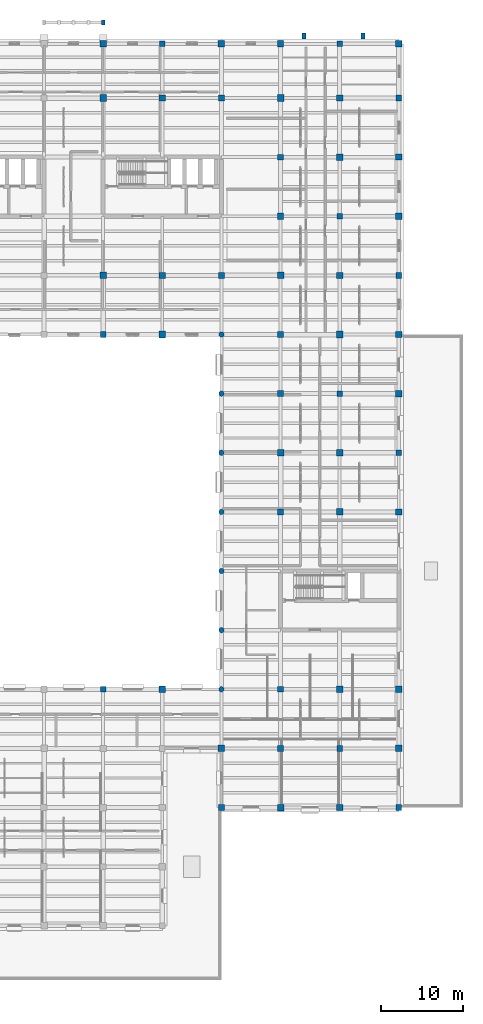
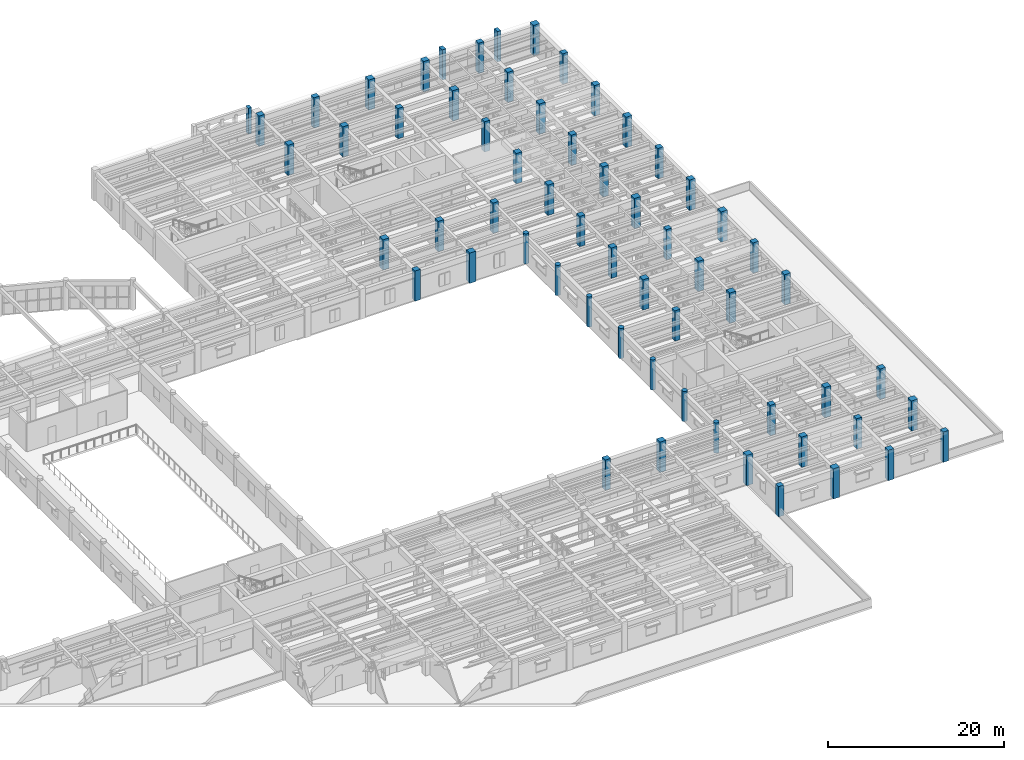
# One storey, part 2 of 76: 61 columns.
"""IFC4 building model written with IfcOpenShell, lengths in metres."""

from ifc_helpers import new_model, si_unit, direction, frame, origin, origin_2d, place, context, subcontext, project, spatial, rectangle, circle, extrude, material, material_profile, profile_set, type_object, element, save


model = new_model("IFC4")

# Units and contexts
model_context = context("Model", 3, precision=1e-05, world=origin(), true_north=direction((0.0, 1.0)))
body_context = subcontext(model_context, "Body", "Model", "MODEL_VIEW")
ifc_project = project(units=[si_unit("LENGTHUNIT", "METRE"), si_unit("AREAUNIT", "SQUARE_METRE"), si_unit("VOLUMEUNIT", "CUBIC_METRE"), si_unit("PLANEANGLEUNIT", "RADIAN"), si_unit("MASSUNIT", "GRAM", prefix="KILO")], contexts=[model_context])

# Site, building, storey
site_placement = place(None, origin())
site = spatial("IfcSite", under=ifc_project, at=site_placement, CompositionType="ELEMENT")
building_placement = place(site_placement, origin())
building = spatial("IfcBuilding", under=site, at=building_placement, Name="Mithqara Police Headquarters", CompositionType="ELEMENT")
storey_placement = place(building_placement, frame((0.0, 0.0, 5.39990234375)))
storey = spatial("IfcBuildingStorey", under=building, at=storey_placement, Name="L01", CompositionType="ELEMENT", Elevation=5.39990234375)

# Columns
ifc_material = material(Name="Concrete C50/60", Category="concrete")
ifc_material_profile_1 = material_profile(ifc_material, rectangle(XDim=0.699951171875, YDim=0.699951171875, at=origin_2d()), Name="RC 700x700")
ifc_profile_set_1 = profile_set([ifc_material_profile_1], Name="Concrete C50/60")
column_type_1 = type_object("IfcColumnType", Name="COLUMN RC700", PredefinedType="COLUMN", material=ifc_profile_set_1)
for number, where, z_axis, x_axis, name in (
    (1, (130.199951171875, 35.39990234375, 0.0), (0.0, 0.0, 1.0), (1.0, 0.0, 0.0), "L01 Column 19/F"),
    (2, (130.199951171875, 78.60009765625, 0.0), (0.0, 0.0, 1.0), (1.0, 0.0, 0.0), "L01 Column 19/M"),
    (3, (137.39990234375, 114.0, 0.0), (0.0, 0.0, 1.0), (1.0, 0.0, 0.0), "L01 Column 20/S"),
    (4, (144.60009765625, 21.0, 0.0), (0.0, 0.0, 1.0), (1.0, 0.0, 0.0), "L01 Column 21/D"),
    (5, (144.60009765625, 85.800048828125, 0.0), (0.0, 0.0, 1.0), (1.0, 0.0, 0.0), "L01 Column 21/N"),
    (6, (144.60009765625, 107.39990234375, 0.0), (0.0, 0.0, 1.0), (1.0, 0.0, 0.0), "L01 Column 21/R"),
    (7, (151.800048828125, 35.39990234375, 0.0), (0.0, 0.0, 1.0), (1.0, 0.0, 0.0), "L01 Column 22/F"),
    (8, (151.800048828125, 57.0, 0.0), (0.0, 0.0, 1.0), (1.0, 0.0, 0.0), "L01 Column 22/J"),
    (9, (151.800048828125, 78.60009765625, 0.0), (0.0, 0.0, 1.0), (1.0, 0.0, 0.0), "L01 Column 22/M"),
    (10, (151.800048828125, 100.199951171875, 0.0), (0.0, 0.0, 1.0), (1.0, 0.0, 0.0), "L01 Column 22/Q"),
    (11, (159.0, 28.199951171875, 0.0), (0.0, 0.0, 1.0), (1.0, 0.0, 0.0), "L01 Column 23/E"),
    (12, (159.0, 71.39990234375, 0.0), (0.0, 0.0, 1.0), (1.0, 0.0, 0.0), "L01 Column 23/L"),
    (13, (159.0, 93.0, 0.0), (0.0, 0.0, 1.0), (1.0, 0.0, 0.0), "L01 Column 23/P"),
    (14, (159.0, 114.0, 0.0), (0.0, 0.0, 1.0), (1.0, 0.0, 0.0), "L01 Column 23/S"),
    (15, (166.199951171875, 21.0, 0.0), (0.0, 0.0, 1.0), (1.0, 0.0, 0.0), "L01 Column 24/D"),
    (16, (166.199951171875, 64.199951171875, 0.0), (0.0, 0.0, 1.0), (1.0, 0.0, 0.0), "L01 Column 24/K"),
    (17, (166.199951171875, 85.800048828125, 0.0), (0.0, 0.0, 1.0), (1.0, 0.0, 0.0), "L01 Column 24/N"),
    (18, (166.199951171875, 107.39990234375, 0.0), (0.0, 0.0, 1.0), (1.0, 0.0, 0.0), "L01 Column 24/R"),
):
    element("IfcColumn", number, at=place(storey_placement, frame(where, z_axis=z_axis, x_axis=x_axis)), inside=storey, type_object=column_type_1, Name=name, PredefinedType="COLUMN", context=body_context, shape_type="SweptSolid", body=[
        extrude(rectangle(XDim=0.699951171875, YDim=0.699951171875, at=origin_2d()), origin(), (0.0, 0.0, 1.0), 4.2001953125),
    ])
ifc_material_profile_2 = material_profile(ifc_material, rectangle(XDim=0.75, YDim=0.75, at=origin_2d()), Name="RC 750x750")
ifc_profile_set_2 = profile_set([ifc_material_profile_2], Name="Concrete C50/60")
column_type_2 = type_object("IfcColumnType", Name="COLUMN RC750", PredefinedType="COLUMN", material=ifc_profile_set_2)
for number, where, z_axis, x_axis, name in (
    (19, (130.199951171875, 114.0, 0.0), (0.0, 0.0, 1.0), (1.0, 0.0, 0.0), "L01 Column 19/S"),
    (20, (137.39990234375, 85.800048828125, 0.0), (0.0, 0.0, 1.0), (1.0, 0.0, 0.0), "L01 Column 20/N"),
    (21, (137.39990234375, 107.39990234375, 0.0), (0.0, 0.0, 1.0), (1.0, 0.0, 0.0), "L01 Column 20/R"),
    (22, (151.800048828125, 28.199951171875, 0.0), (0.0, 0.0, 1.0), (1.0, 0.0, 0.0), "L01 Column 22/E"),
    (23, (151.800048828125, 71.39990234375, 0.0), (0.0, 0.0, 1.0), (1.0, 0.0, 0.0), "L01 Column 22/L"),
    (24, (151.800048828125, 93.0, 0.0), (0.0, 0.0, 1.0), (1.0, 0.0, 0.0), "L01 Column 22/P"),
    (25, (151.800048828125, 114.0, 0.0), (0.0, 0.0, 1.0), (1.0, 0.0, 0.0), "L01 Column 22/S"),
    (26, (159.0, 21.0, 0.0), (0.0, 0.0, 1.0), (1.0, 0.0, 0.0), "L01 Column 23/D"),
    (27, (159.0, 64.199951171875, 0.0), (0.0, 0.0, 1.0), (1.0, 0.0, 0.0), "L01 Column 23/K"),
    (28, (159.0, 85.800048828125, 0.0), (0.0, 0.0, 1.0), (1.0, 0.0, 0.0), "L01 Column 23/N"),
    (29, (159.0, 107.39990234375, 0.0), (0.0, 0.0, 1.0), (1.0, 0.0, 0.0), "L01 Column 23/R"),
    (30, (166.199951171875, 35.39990234375, 0.0), (0.0, 0.0, 1.0), (1.0, 0.0, 0.0), "L01 Column 24/F"),
    (31, (166.199951171875, 57.0, 0.0), (0.0, 0.0, 1.0), (1.0, 0.0, 0.0), "L01 Column 24/J"),
    (32, (166.199951171875, 78.60009765625, 0.0), (0.0, 0.0, 1.0), (1.0, 0.0, 0.0), "L01 Column 24/M"),
    (33, (166.199951171875, 100.199951171875, 0.0), (0.0, 0.0, 1.0), (1.0, 0.0, 0.0), "L01 Column 24/Q"),
):
    element("IfcColumn", number, at=place(storey_placement, frame(where, z_axis=z_axis, x_axis=x_axis)), inside=storey, type_object=column_type_2, Name=name, PredefinedType="COLUMN", context=body_context, shape_type="SweptSolid", body=[
        extrude(rectangle(XDim=0.75, YDim=0.75, at=origin_2d()), origin(), (0.0, 0.0, 1.0), 4.2001953125),
    ])
ifc_material_profile_3 = material_profile(ifc_material, rectangle(XDim=0.800048828125, YDim=0.800048828125, at=origin_2d()), Name="RC 800x800")
ifc_profile_set_3 = profile_set([ifc_material_profile_3], Name="Concrete C50/60")
column_type_3 = type_object("IfcColumnType", Name="COLUMN RC800", PredefinedType="COLUMN", material=ifc_profile_set_3)
for number, where, z_axis, x_axis, name in (
    (34, (130.199951171875, 85.800048828125, 0.0), (0.0, 0.0, 1.0), (1.0, 0.0, 0.0), "L01 Column 19/N"),
    (35, (130.199951171875, 107.39990234375, 0.0), (0.0, 0.0, 1.0), (1.0, 0.0, 0.0), "L01 Column 19/R"),
    (36, (137.39990234375, 35.39990234375, 0.0), (0.0, 0.0, 1.0), (1.0, 0.0, 0.0), "L01 Column 20/F"),
    (37, (137.39990234375, 78.60009765625, 0.0), (0.0, 0.0, 1.0), (1.0, 0.0, 0.0), "L01 Column 20/M"),
    (38, (144.60009765625, 28.199951171875, 0.0), (0.0, 0.0, 1.0), (1.0, 0.0, 0.0), "L01 Column 21/E"),
    (39, (144.60009765625, 114.0, 0.0), (0.0, 0.0, 1.0), (1.0, 0.0, 0.0), "L01 Column 21/S"),
    (40, (151.800048828125, 21.0, 0.0), (0.0, 0.0, 1.0), (1.0, 0.0, 0.0), "L01 Column 22/D"),
    (41, (151.800048828125, 64.199951171875, 0.0), (0.0, 0.0, 1.0), (1.0, 0.0, 0.0), "L01 Column 22/K"),
    (42, (151.800048828125, 85.800048828125, 0.0), (0.0, 0.0, 1.0), (1.0, 0.0, 0.0), "L01 Column 22/N"),
    (43, (151.800048828125, 107.39990234375, 0.0), (0.0, 0.0, 1.0), (1.0, 0.0, 0.0), "L01 Column 22/R"),
    (44, (159.0, 35.39990234375, 0.0), (0.0, 0.0, 1.0), (1.0, 0.0, 0.0), "L01 Column 23/F"),
    (45, (159.0, 57.0, 0.0), (0.0, 0.0, 1.0), (1.0, 0.0, 0.0), "L01 Column 23/J"),
    (46, (159.0, 78.60009765625, 0.0), (0.0, 0.0, 1.0), (1.0, 0.0, 0.0), "L01 Column 23/M"),
    (47, (159.0, 100.199951171875, 0.0), (0.0, 0.0, 1.0), (1.0, 0.0, 0.0), "L01 Column 23/Q"),
    (48, (166.199951171875, 28.199951171875, 0.0), (0.0, 0.0, 1.0), (1.0, 0.0, 0.0), "L01 Column 24/E"),
    (49, (166.199951171875, 71.39990234375, 0.0), (0.0, 0.0, 1.0), (1.0, 0.0, 0.0), "L01 Column 24/L"),
    (50, (166.199951171875, 93.0, 0.0), (0.0, 0.0, 1.0), (1.0, 0.0, 0.0), "L01 Column 24/P"),
    (51, (166.199951171875, 114.0, 0.0), (0.0, 0.0, 1.0), (1.0, 0.0, 0.0), "L01 Column 24/S"),
):
    element("IfcColumn", number, at=place(storey_placement, frame(where, z_axis=z_axis, x_axis=x_axis)), inside=storey, type_object=column_type_3, Name=name, PredefinedType="COLUMN", context=body_context, shape_type="SweptSolid", body=[
        extrude(rectangle(XDim=0.800048828125, YDim=0.800048828125, at=origin_2d()), origin(), (0.0, 0.0, 1.0), 4.2001953125),
    ])
ifc_material_profile_4 = material_profile(ifc_material, circle(Radius=0.324951171875, at=origin_2d()), Name="RCD 650")
ifc_profile_set_4 = profile_set([ifc_material_profile_4], Name="Concrete C50/60")
column_type_4 = type_object("IfcColumnType", Name="COLUMN RCD650", PredefinedType="COLUMN", material=ifc_profile_set_4)
for number, where, z_axis, x_axis, name in (
    (52, (144.60009765625, 35.39990234375, 0.0), (0.0, 0.0, 1.0), (1.0, 0.0, 0.0), "L01 Column 21/F"),
    (53, (144.60009765625, 42.60009765625, 0.0), (0.0, 0.0, 1.0), (1.0, 0.0, 0.0), "L01 Column 21/G"),
    (54, (144.60009765625, 49.800048828125, 0.0), (0.0, 0.0, 1.0), (1.0, 0.0, 0.0), "L01 Column 21/H"),
    (55, (144.60009765625, 57.0, 0.0), (0.0, 0.0, 1.0), (1.0, 0.0, 0.0), "L01 Column 21/J"),
    (56, (144.60009765625, 64.199951171875, 0.0), (0.0, 0.0, 1.0), (1.0, 0.0, 0.0), "L01 Column 21/K"),
    (57, (144.60009765625, 71.39990234375, 0.0), (0.0, 0.0, 1.0), (1.0, 0.0, 0.0), "L01 Column 21/L"),
    (58, (144.60009765625, 78.60009765625, 0.0), (0.0, 0.0, 1.0), (1.0, 0.0, 0.0), "L01 Column 21/M"),
):
    element("IfcColumn", number, at=place(storey_placement, frame(where, z_axis=z_axis, x_axis=x_axis)), inside=storey, type_object=column_type_4, Name=name, PredefinedType="COLUMN", context=body_context, shape_type="SweptSolid", body=[
        extrude(circle(Radius=0.324951171875, at=origin_2d()), origin(), (0.0, 0.0, 1.0), 4.2001953125),
    ])
ifc_material_profile_5 = material_profile(ifc_material, rectangle(XDim=0.39990234375, YDim=0.60009765625, at=origin_2d()), Name="PIL 400x600")
ifc_profile_set_5 = profile_set([ifc_material_profile_5], Name="Concrete C50/60")
column_type_5 = type_object("IfcColumnType", Name="PILASTER 400X600", PredefinedType="PILASTER", material=ifc_profile_set_5)
column_placement = place(storey_placement, frame((130.199951171875, 116.60009765625, 0.0), z_axis=(0.0, 0.0, 1.0), x_axis=(1.0, 0.0, 0.0)))
element("IfcColumn", 59, at=column_placement, inside=storey, type_object=column_type_5, Name="L01 Entrance Portal Pylon E", PredefinedType="PILASTER", context=body_context, shape_type="SweptSolid", body=[
    extrude(rectangle(XDim=0.39990234375, YDim=0.60009765625, at=origin_2d()), origin(), (0.0, 0.0, 1.0), 3.60009765625),
])
ifc_material_profile_6 = material_profile(ifc_material, rectangle(XDim=0.449951171875, YDim=0.75, at=origin_2d()), Name="PIL 450x750")
ifc_profile_set_6 = profile_set([ifc_material_profile_6], Name="Concrete C50/60")
column_type_6 = type_object("IfcColumnType", Name="PILASTER 450X750", PredefinedType="PILASTER", material=ifc_profile_set_6)
for number, where, z_axis, x_axis, name in (
    (60, (154.64990234375, 114.949951171875, 0.0), (0.0, 0.0, 1.0), (1.0, 0.0, 0.0), "L01 North Avenue Pilaster 1"),
    (61, (161.85009765625, 114.949951171875, 0.0), (0.0, 0.0, 1.0), (1.0, 0.0, 0.0), "L01 North Avenue Pilaster 2"),
):
    element("IfcColumn", number, at=place(storey_placement, frame(where, z_axis=z_axis, x_axis=x_axis)), inside=storey, type_object=column_type_6, Name=name, PredefinedType="PILASTER", context=body_context, shape_type="SweptSolid", body=[
        extrude(rectangle(XDim=0.449951171875, YDim=0.75, at=origin_2d()), origin(), (0.0, 0.0, 1.0), 4.2001953125),
    ])

save(model, "model.ifc")
